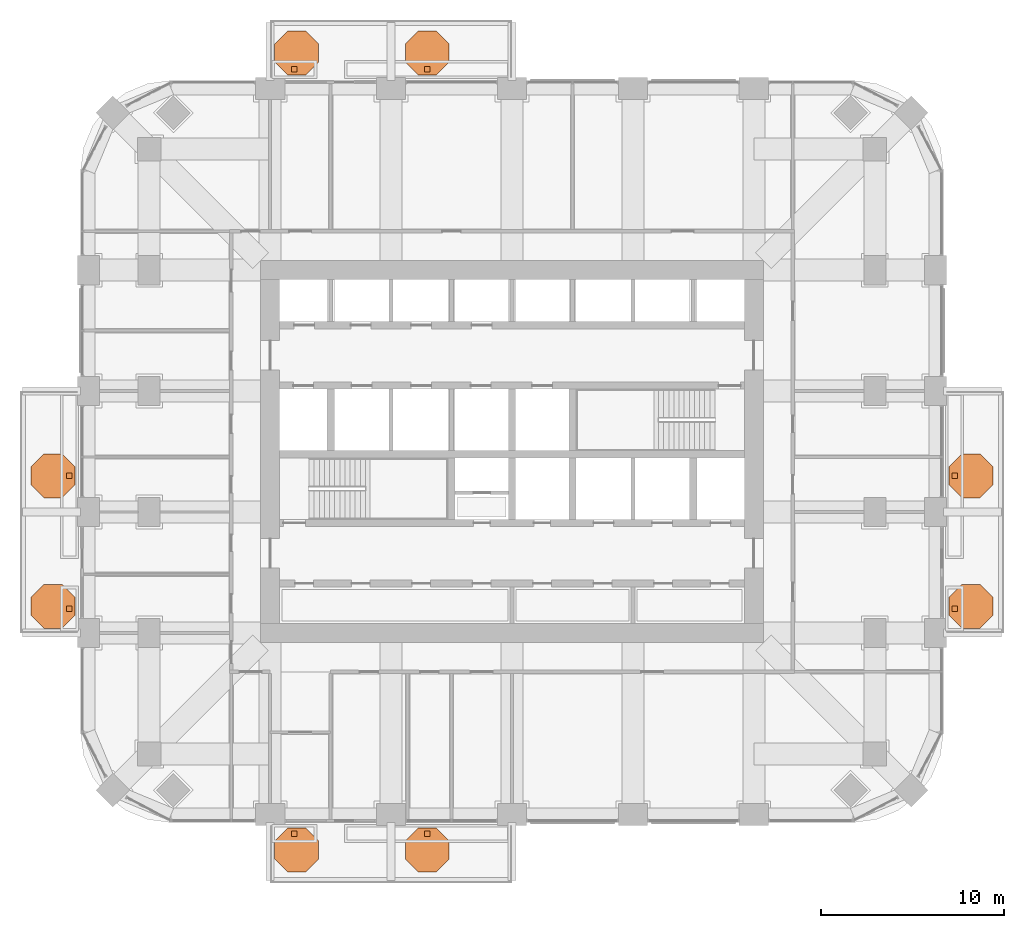
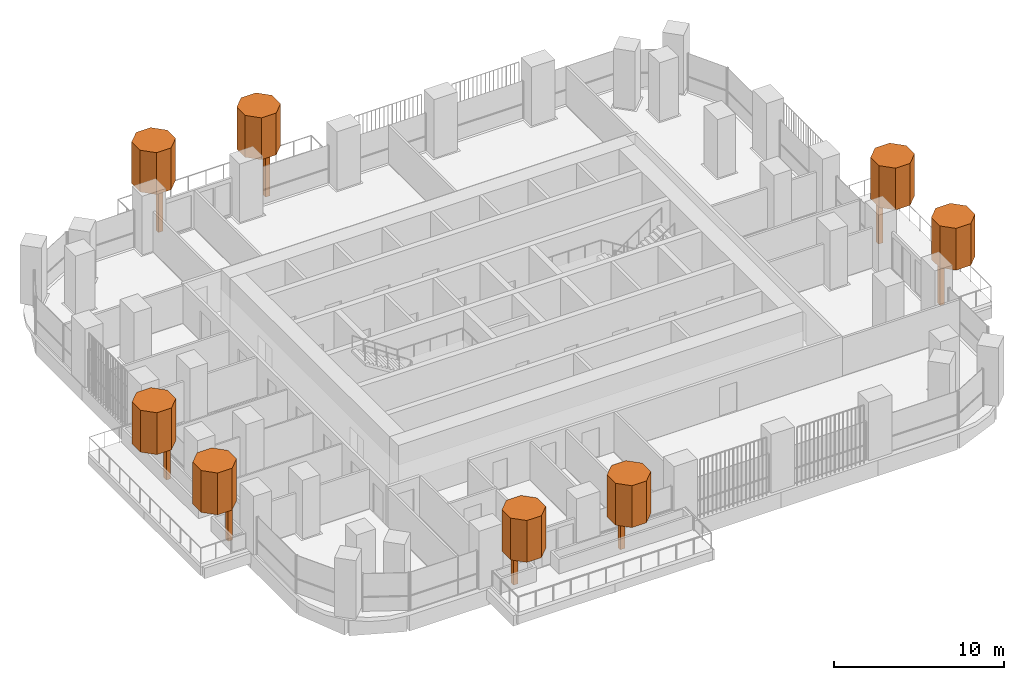
# One storey, part 19 of 19: 16 geographic elements.
"""IFC4 building model written with IfcOpenShell, lengths in metres."""

from ifc_helpers import new_model, si_unit, direction, frame, origin, origin_2d, place, context, subcontext, project, spatial, polyline, rectangle, outline, extrude, material, type_object, element, save


model = new_model("IFC4")

# Units and contexts
model_context = context("Model", 3, precision=1e-05, world=origin(), true_north=direction((0.0, 1.0)))
body_context = subcontext(model_context, "Body", "Model", "MODEL_VIEW")
ifc_project = project(units=[si_unit("LENGTHUNIT", "METRE"), si_unit("AREAUNIT", "SQUARE_METRE"), si_unit("VOLUMEUNIT", "CUBIC_METRE"), si_unit("PLANEANGLEUNIT", "RADIAN"), si_unit("MASSUNIT", "GRAM", prefix="KILO")], contexts=[model_context])

# Site, building, storey
site_placement = place(None, origin())
site = spatial("IfcSite", under=ifc_project, at=site_placement, CompositionType="ELEMENT")
building_placement = place(site_placement, origin())
building = spatial("IfcBuilding", under=site, at=building_placement, Name="Cobogo Forest Laboratory Tower", CompositionType="ELEMENT")
storey_placement = place(building_placement, frame((0.0, 0.0, 159.89990234375)))
storey = spatial("IfcBuildingStorey", under=building, at=storey_placement, Name="L36", CompositionType="ELEMENT", Elevation=159.89990234375)

# Geographic elements
ifc_material = material(Name="Planting", Category="plant")
geographic_element_type_1 = type_object("IfcGeographicElementType", Name="Tree trunk 300", PredefinedType="USERDEFINED", material=ifc_material)
for number, where, z_axis, x_axis, name in (
    (1, (14.52490234375, 2.25, 0.000244140625), (0.0, 0.0, 1.0), (1.0, 0.0, 0.0), "Tree trunk BAL-S1-PL1 L36"),
    (2, (21.77490234375, 2.25, 0.000244140625), (0.0, 0.0, 1.0), (1.0, 0.0, 0.0), "Tree trunk BAL-S1-PL2 L36"),
    (3, (50.550048828125, 14.52490234375, 0.000244140625), (0.0, 0.0, 1.0), (1.0, 0.0, 0.0), "Tree trunk BAL-E1-PL1 L36"),
    (4, (50.550048828125, 21.77490234375, 0.000244140625), (0.0, 0.0, 1.0), (1.0, 0.0, 0.0), "Tree trunk BAL-E1-PL2 L36"),
    (5, (14.52490234375, 43.949951171875, 0.000244140625), (0.0, 0.0, 1.0), (1.0, 0.0, 0.0), "Tree trunk BAL-N1-PL1 L36"),
    (6, (21.77490234375, 43.949951171875, 0.000244140625), (0.0, 0.0, 1.0), (1.0, 0.0, 0.0), "Tree trunk BAL-N1-PL2 L36"),
    (7, (2.25, 14.52490234375, 0.000244140625), (0.0, 0.0, 1.0), (1.0, 0.0, 0.0), "Tree trunk BAL-W1-PL1 L36"),
    (8, (2.25, 21.77490234375, 0.000244140625), (0.0, 0.0, 1.0), (1.0, 0.0, 0.0), "Tree trunk BAL-W1-PL2 L36"),
):
    element("IfcGeographicElement", number, at=place(storey_placement, frame(where, z_axis=z_axis, x_axis=x_axis)), inside=storey, type_object=geographic_element_type_1, Name=name, ObjectType="TREE TRUNK", PredefinedType="USERDEFINED", context=body_context, shape_type="SweptSolid", body=[
        extrude(rectangle(XDim=0.300048828125, YDim=0.300048828125, at=origin_2d()), origin(), (0.0, 0.0, 1.0), 2.89990234375),
    ])
geographic_element_type_2 = type_object("IfcGeographicElementType", Name="Tree, holm oak 5 m", PredefinedType="USERDEFINED", material=ifc_material)
geographic_element_1_placement = place(storey_placement, frame((0.0, 0.0, 2.900146484375)))
element("IfcGeographicElement", 9, at=geographic_element_1_placement, inside=storey, type_object=geographic_element_type_2, Name="Holm tree BAL-S1-PL1 L36", ObjectType="TREE", PredefinedType="USERDEFINED", context=body_context, shape_type="SweptSolid", body=[
    extrude(outline(polyline([(15.85009765625, 0.85302734375), (15.85009765625, 1.84716796875), (15.14697265625, 2.550048828125), (14.15283203125, 2.550048828125), (13.449951171875, 1.84716796875), (13.449951171875, 0.85302734375), (14.15283203125, 0.14990234375), (15.14697265625, 0.14990234375), (15.85009765625, 0.85302734375)])), origin(), (0.0, 0.0, 1.0), 3.0),
])
geographic_element_2_placement = place(storey_placement, frame((0.0, 0.0, 2.900146484375)))
element("IfcGeographicElement", 10, at=geographic_element_2_placement, inside=storey, type_object=geographic_element_type_2, Name="Holm tree BAL-S1-PL2 L36", ObjectType="TREE", PredefinedType="USERDEFINED", context=body_context, shape_type="SweptSolid", body=[
    extrude(outline(polyline([(22.97509765625, 0.85302734375), (22.97509765625, 1.84716796875), (22.27197265625, 2.550048828125), (21.27783203125, 2.550048828125), (20.574951171875, 1.84716796875), (20.574951171875, 0.85302734375), (21.27783203125, 0.14990234375), (22.27197265625, 0.14990234375), (22.97509765625, 0.85302734375)])), origin(), (0.0, 0.0, 1.0), 3.0),
])
geographic_element_3_placement = place(storey_placement, frame((0.0, 0.0, 2.900146484375)))
element("IfcGeographicElement", 11, at=geographic_element_3_placement, inside=storey, type_object=geographic_element_type_2, Name="Holm tree BAL-E1-PL1 L36", ObjectType="TREE", PredefinedType="USERDEFINED", context=body_context, shape_type="SweptSolid", body=[
    extrude(outline(polyline([(52.64990234375, 14.15283203125), (52.64990234375, 15.14697265625), (51.947021484375, 15.85009765625), (50.952880859375, 15.85009765625), (50.25, 15.14697265625), (50.25, 14.15283203125), (50.952880859375, 13.449951171875), (51.947021484375, 13.449951171875), (52.64990234375, 14.15283203125)])), origin(), (0.0, 0.0, 1.0), 3.0),
])
geographic_element_4_placement = place(storey_placement, frame((0.0, 0.0, 2.900146484375)))
element("IfcGeographicElement", 12, at=geographic_element_4_placement, inside=storey, type_object=geographic_element_type_2, Name="Holm tree BAL-E1-PL2 L36", ObjectType="TREE", PredefinedType="USERDEFINED", context=body_context, shape_type="SweptSolid", body=[
    extrude(outline(polyline([(52.64990234375, 21.27783203125), (52.64990234375, 22.27197265625), (51.947021484375, 22.97509765625), (50.952880859375, 22.97509765625), (50.25, 22.27197265625), (50.25, 21.27783203125), (50.952880859375, 20.574951171875), (51.947021484375, 20.574951171875), (52.64990234375, 21.27783203125)])), origin(), (0.0, 0.0, 1.0), 3.0),
])
geographic_element_5_placement = place(storey_placement, frame((0.0, 0.0, 2.900146484375)))
element("IfcGeographicElement", 13, at=geographic_element_5_placement, inside=storey, type_object=geographic_element_type_2, Name="Holm tree BAL-N1-PL1 L36", ObjectType="TREE", PredefinedType="USERDEFINED", context=body_context, shape_type="SweptSolid", body=[
    extrude(outline(polyline([(15.85009765625, 44.35302734375), (15.85009765625, 45.34716796875), (15.14697265625, 46.050048828125), (14.15283203125, 46.050048828125), (13.449951171875, 45.34716796875), (13.449951171875, 44.35302734375), (14.15283203125, 43.64990234375), (15.14697265625, 43.64990234375), (15.85009765625, 44.35302734375)])), origin(), (0.0, 0.0, 1.0), 3.0),
])
geographic_element_6_placement = place(storey_placement, frame((0.0, 0.0, 2.900146484375)))
element("IfcGeographicElement", 14, at=geographic_element_6_placement, inside=storey, type_object=geographic_element_type_2, Name="Holm tree BAL-N1-PL2 L36", ObjectType="TREE", PredefinedType="USERDEFINED", context=body_context, shape_type="SweptSolid", body=[
    extrude(outline(polyline([(22.97509765625, 44.35302734375), (22.97509765625, 45.34716796875), (22.27197265625, 46.050048828125), (21.27783203125, 46.050048828125), (20.574951171875, 45.34716796875), (20.574951171875, 44.35302734375), (21.27783203125, 43.64990234375), (22.27197265625, 43.64990234375), (22.97509765625, 44.35302734375)])), origin(), (0.0, 0.0, 1.0), 3.0),
])
geographic_element_7_placement = place(storey_placement, frame((0.0, 0.0, 2.900146484375)))
element("IfcGeographicElement", 15, at=geographic_element_7_placement, inside=storey, type_object=geographic_element_type_2, Name="Holm tree BAL-W1-PL1 L36", ObjectType="TREE", PredefinedType="USERDEFINED", context=body_context, shape_type="SweptSolid", body=[
    extrude(outline(polyline([(2.550048828125, 14.15283203125), (2.550048828125, 15.14697265625), (1.84716796875, 15.85009765625), (0.85302734375, 15.85009765625), (0.14990234375, 15.14697265625), (0.14990234375, 14.15283203125), (0.85302734375, 13.449951171875), (1.84716796875, 13.449951171875), (2.550048828125, 14.15283203125)])), origin(), (0.0, 0.0, 1.0), 3.0),
])
geographic_element_8_placement = place(storey_placement, frame((0.0, 0.0, 2.900146484375)))
element("IfcGeographicElement", 16, at=geographic_element_8_placement, inside=storey, type_object=geographic_element_type_2, Name="Holm tree BAL-W1-PL2 L36", ObjectType="TREE", PredefinedType="USERDEFINED", context=body_context, shape_type="SweptSolid", body=[
    extrude(outline(polyline([(2.550048828125, 21.27783203125), (2.550048828125, 22.27197265625), (1.84716796875, 22.97509765625), (0.85302734375, 22.97509765625), (0.14990234375, 22.27197265625), (0.14990234375, 21.27783203125), (0.85302734375, 20.574951171875), (1.84716796875, 20.574951171875), (2.550048828125, 21.27783203125)])), origin(), (0.0, 0.0, 1.0), 3.0),
])

save(model, "model.ifc")
